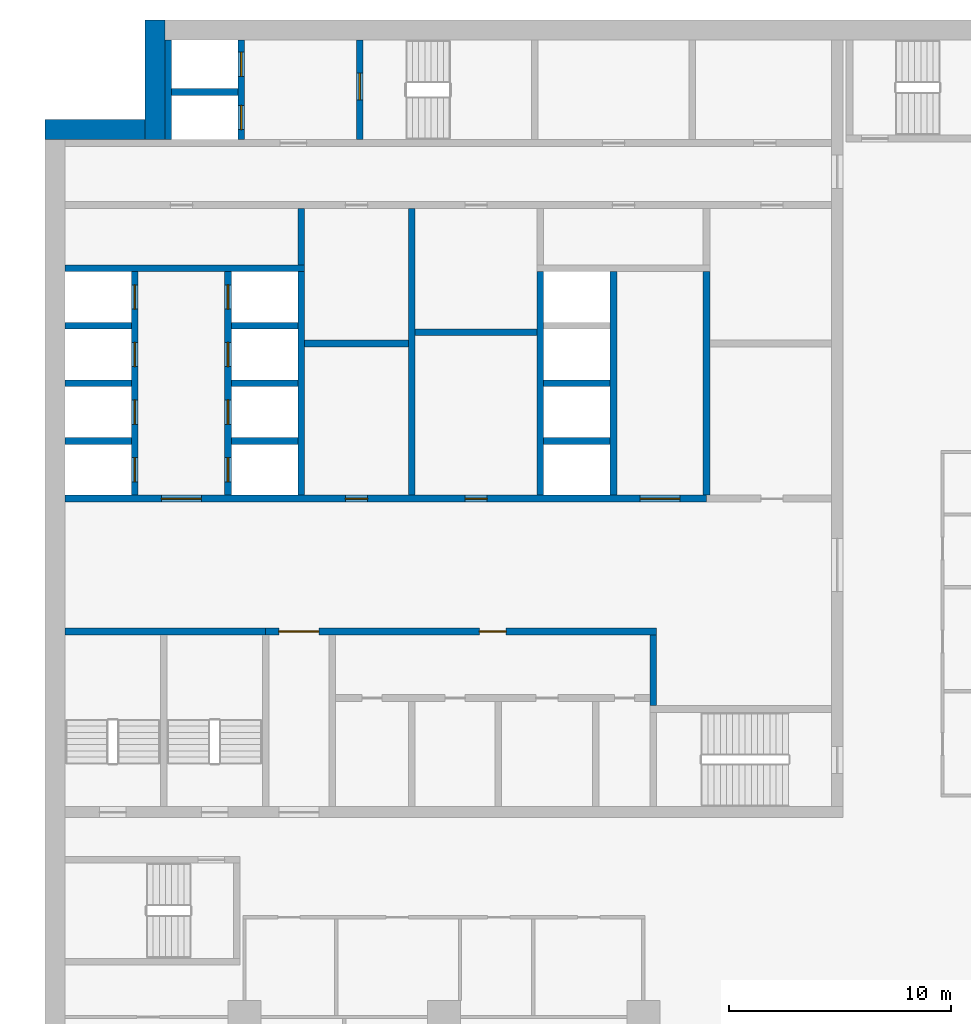
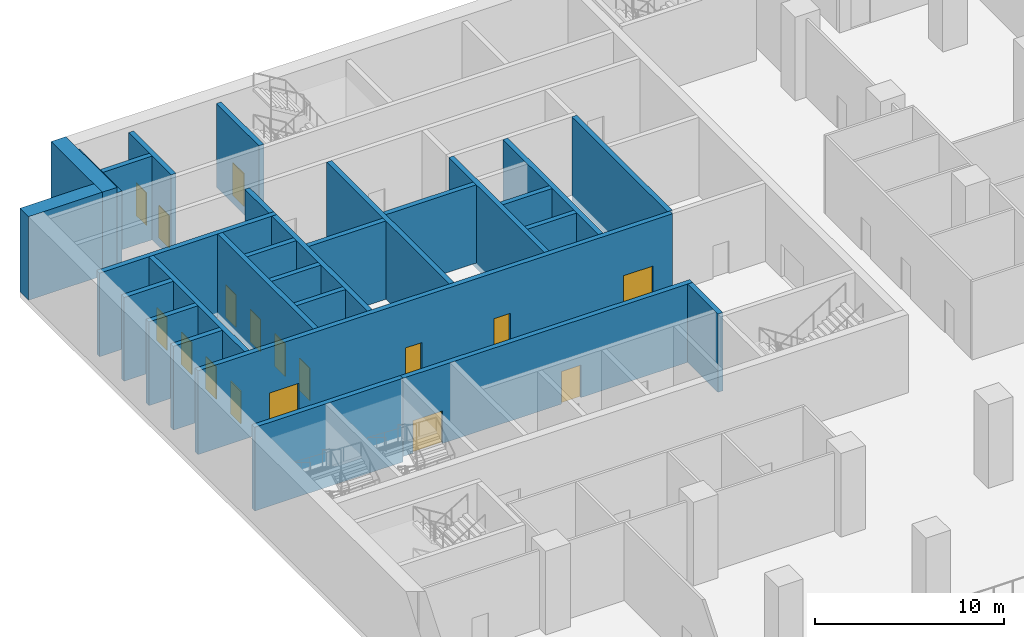
# One storey, part 18 of 44: 29 walls, 17 doors, 17 openings.
"""IFC4 building model written with IfcOpenShell, lengths in metres."""

from ifc_helpers import new_model, si_unit, direction, frame, frame_2d, origin, place, context, subcontext, project, spatial, rectangle, extrude, material, layer, layer_set, type_object, element, fill, save


model = new_model("IFC4")

# Units and contexts
model_context = context("Model", 3, precision=1e-05, world=origin(), true_north=direction((0.0, 1.0)))
body_context = subcontext(model_context, "Body", "Model", "MODEL_VIEW")
ifc_project = project(units=[si_unit("LENGTHUNIT", "METRE"), si_unit("AREAUNIT", "SQUARE_METRE"), si_unit("VOLUMEUNIT", "CUBIC_METRE"), si_unit("PLANEANGLEUNIT", "RADIAN"), si_unit("MASSUNIT", "GRAM", prefix="KILO")], contexts=[model_context])

# Site, building, storey
site_placement = place(None, origin())
site = spatial("IfcSite", under=ifc_project, at=site_placement, CompositionType="ELEMENT")
building_placement = place(site_placement, origin())
building = spatial("IfcBuilding", under=site, at=building_placement, Name="Hunhe Ridgeline Campus", CompositionType="ELEMENT")
storey_placement = place(building_placement, frame((0.0, 0.0, 6.0)))
storey = spatial("IfcBuildingStorey", under=building, at=storey_placement, Name="L01", CompositionType="ELEMENT", Elevation=6.0)

# Wall, openings, doors
ifc_material_1 = material(Name="Masonry concrete blockwork", Category="masonry")
ifc_layer_1 = layer(ifc_material_1, 0.300048828125)
ifc_layer_set_1 = layer_set([ifc_layer_1], Name="Core room partition 300 concrete block")
wall_type_1 = type_object("IfcWallType", Name="Core room partition 300 concrete block", PredefinedType="PARTITIONING", material=ifc_layer_set_1)
wall_1_placement = place(storey_placement, frame((9.949951171875, 71.39990234375, 0.0), z_axis=(0.0, 0.0, 1.0), x_axis=(1.0, 0.0, 0.0)))
wall_1 = element("IfcWall", 1, at=wall_1_placement, inside=storey, type_object=wall_type_1, Name="L01 core partition 13", PredefinedType="PARTITIONING", context=body_context, shape_type="SweptSolid", body=[
    extrude(rectangle(XDim=17.650146484375, YDim=0.300048828125, at=frame_2d((8.8251953125, 0.0))), origin(), (0.0, 0.0, 1.0), 5.050048828125),
])
opening_1_placement = place(wall_1_placement, frame((0.60009765625, 0.0, 0.0)))
opening_1 = element("IfcOpeningElement", 2, at=opening_1_placement, cuts=wall_1, Name="Opening CD7", PredefinedType="OPENING", context=body_context, shape_type="SweptSolid", body=[
    extrude(rectangle(XDim=1.800048828125, YDim=2.10009765625, at=frame_2d((0.89990234375, 1.050048828125))), frame((0.0, 0.14990234375, 0.0), z_axis=(0.0, -1.0, 0.0), x_axis=(1.0, 0.0, 0.0)), (0.0, 0.0, 1.0), 0.300048828125),
])
opening_2_placement = place(wall_1_placement, frame((9.64990234375, 0.0, 0.0)))
opening_2 = element("IfcOpeningElement", 3, at=opening_2_placement, cuts=wall_1, Name="Opening CD12", PredefinedType="OPENING", context=body_context, shape_type="SweptSolid", body=[
    extrude(rectangle(XDim=1.199951171875, YDim=2.10009765625, at=frame_2d((0.60009765625, 1.050048828125))), frame((0.0, 0.14990234375, 0.0), z_axis=(0.0, -1.0, 0.0), x_axis=(1.0, 0.0, 0.0)), (0.0, 0.0, 1.0), 0.300048828125),
])
ifc_material_2 = material(Name="Anodised aluminium and glass", Category="aluminium")
door_type_1 = type_object("IfcDoorType", Name="Glazed double door 1800x2100", OperationType="DOUBLE_DOOR_SINGLE_SWING", PredefinedType="DOOR", material=ifc_material_2)
door_1_placement = place(opening_1_placement, origin())
door_1 = element("IfcDoor", 4, at=door_1_placement, inside=storey, type_object=door_type_1, Name="L01 door VEST-HALL", OperationType="DOUBLE_DOOR_SINGLE_SWING", OverallHeight=2.10009765625, OverallWidth=1.800048828125, PredefinedType="DOOR", context=body_context, shape_type="SweptSolid", body=[
    extrude(rectangle(XDim=1.800048828125, YDim=2.10009765625, at=frame_2d((0.89990234375, 1.050048828125))), frame((0.0, 0.02490234375, 0.0), z_axis=(0.0, -1.0, 0.0), x_axis=(1.0, 0.0, 0.0)), (0.0, 0.0, 1.0), 0.050048828125),
])
fill(opening_1, door_1)
ifc_material_3 = material(Name="Solid core timber door leaf", Category="wood")
door_type_2 = type_object("IfcDoorType", Name="Timber door 1200x2100", OperationType="SINGLE_SWING_LEFT", PredefinedType="DOOR", material=ifc_material_3)
door_2_placement = place(opening_2_placement, origin())
door_2 = element("IfcDoor", 5, at=door_2_placement, inside=storey, type_object=door_type_2, Name="L01 door WCL2-HALL", OperationType="SINGLE_SWING_LEFT", OverallHeight=2.10009765625, OverallWidth=1.199951171875, PredefinedType="DOOR", context=body_context, shape_type="SweptSolid", body=[
    extrude(rectangle(XDim=1.199951171875, YDim=2.10009765625, at=frame_2d((0.60009765625, 1.050048828125))), frame((0.0, 0.02490234375, 0.0), z_axis=(0.0, -1.0, 0.0), x_axis=(1.0, 0.0, 0.0)), (0.0, 0.0, 1.0), 0.050048828125),
])
fill(opening_2, door_2)

# Walls
wall_2_placement = place(storey_placement, frame((11.699951171875, 84.39990234375, 0.0), z_axis=(0.0, 0.0, 1.0), x_axis=(1.0, 0.0, 0.0)))
element("IfcWall", 6, at=wall_2_placement, inside=storey, type_object=wall_type_1, Name="L01 core partition 22", PredefinedType="PARTITIONING", context=body_context, shape_type="SweptSolid", body=[
    extrude(rectangle(XDim=4.699951171875, YDim=0.300048828125, at=frame_2d((2.35009765625, 0.0))), origin(), (0.0, 0.0, 1.0), 5.050048828125),
])
wall_3_placement = place(storey_placement, frame((16.699951171875, 84.89990234375, 0.0), z_axis=(0.0, 0.0, 1.0), x_axis=(1.0, 0.0, 0.0)))
element("IfcWall", 7, at=wall_3_placement, inside=storey, type_object=wall_type_1, Name="L01 core partition 24", PredefinedType="PARTITIONING", context=body_context, shape_type="SweptSolid", body=[
    extrude(rectangle(XDim=5.5, YDim=0.300048828125, at=frame_2d((2.75, 0.0))), origin(), (0.0, 0.0, 1.0), 5.050048828125),
])
wall_4_placement = place(storey_placement, frame((11.550048828125, 87.949951171875, 0.0), z_axis=(0.0, 0.0, 1.0), x_axis=(0.0, 1.0, 0.0)))
element("IfcWall", 8, at=wall_4_placement, inside=storey, type_object=wall_type_1, Name="L01 core partition 46", PredefinedType="PARTITIONING", context=body_context, shape_type="SweptSolid", body=[
    extrude(rectangle(XDim=2.550048828125, YDim=0.300048828125, at=frame_2d((1.27490234375, 0.0))), origin(), (0.0, 0.0, 1.0), 5.050048828125),
])
wall_5_placement = place(storey_placement, frame((16.550048828125, 77.550048828125, 0.0), z_axis=(0.0, 0.0, 1.0), x_axis=(0.0, 1.0, 0.0)))
element("IfcWall", 9, at=wall_5_placement, inside=storey, type_object=wall_type_1, Name="L01 core partition 50", PredefinedType="PARTITIONING", context=body_context, shape_type="SweptSolid", body=[
    extrude(rectangle(XDim=12.949951171875, YDim=0.300048828125, at=frame_2d((6.47509765625, 0.0))), origin(), (0.0, 0.0, 1.0), 5.050048828125),
])
wall_6_placement = place(storey_placement, frame((27.449951171875, 68.050048828125, 0.0), z_axis=(0.0, 0.0, 1.0), x_axis=(0.0, 1.0, 0.0)))
element("IfcWall", 10, at=wall_6_placement, inside=storey, type_object=wall_type_1, Name="L01 core partition 60", PredefinedType="PARTITIONING", context=body_context, shape_type="SweptSolid", body=[
    extrude(rectangle(XDim=3.199951171875, YDim=0.300048828125, at=frame_2d((1.60009765625, 0.0))), origin(), (0.0, 0.0, 1.0), 5.050048828125),
])
ifc_material_4 = material(Name="Concrete C80", Category="concrete")
ifc_layer_2 = layer(ifc_material_4, 0.300048828125)
ifc_layer_set_2 = layer_set([ifc_layer_2], Name="Lobby wall 300 reinforced concrete C80")
wall_type_2 = type_object("IfcWallType", Name="Lobby wall 300 reinforced concrete C80", PredefinedType="SOLIDWALL", material=ifc_layer_set_2)
wall_7_placement = place(storey_placement, frame((29.85009765625, 77.550048828125, -0.35009765625), z_axis=(0.0, 0.0, 1.0), x_axis=(0.0, 1.0, 0.0)))
element("IfcWall", 11, at=wall_7_placement, inside=storey, type_object=wall_type_2, Name="L01 core wall 62", PredefinedType="SOLIDWALL", context=body_context, shape_type="SweptSolid", body=[
    extrude(rectangle(XDim=10.099853515625, YDim=0.300048828125, at=frame_2d((5.0498046875, 0.0))), origin(), (0.0, 0.0, 1.0), 5.400146484375),
])

# Wall, openings, doors
ifc_layer_3 = layer(ifc_material_4, 0.300048828125)
ifc_layer_set_3 = layer_set([ifc_layer_3], Name="Shaft wall 300 reinforced concrete C80")
wall_type_3 = type_object("IfcWallType", Name="Shaft wall 300 reinforced concrete C80", PredefinedType="SOLIDWALL", material=ifc_layer_set_3)
wall_8_placement = place(storey_placement, frame((0.89990234375, 77.39990234375, -0.35009765625), z_axis=(0.0, 0.0, 1.0), x_axis=(1.0, 0.0, 0.0)))
wall_8 = element("IfcWall", 12, at=wall_8_placement, inside=storey, type_object=wall_type_3, Name="L01 core wall 14", PredefinedType="SOLIDWALL", context=body_context, shape_type="SweptSolid", body=[
    extrude(rectangle(XDim=28.9501953125, YDim=0.300048828125, at=frame_2d((14.47509765625, 0.0))), origin(), (0.0, 0.0, 1.0), 5.400146484375),
])
opening_3_placement = place(wall_8_placement, frame((4.35009765625, 0.0, 0.35009765625)))
opening_3 = element("IfcOpeningElement", 13, at=opening_3_placement, cuts=wall_8, Name="Opening CD1", PredefinedType="OPENING", context=body_context, shape_type="SweptSolid", body=[
    extrude(rectangle(XDim=1.800048828125, YDim=2.10009765625, at=frame_2d((0.89990234375, 1.050048828125))), frame((0.0, 0.14990234375, 0.0), z_axis=(0.0, -1.0, 0.0), x_axis=(1.0, 0.0, 0.0)), (0.0, 0.0, 1.0), 0.300048828125),
])
opening_4_placement = place(wall_8_placement, frame((25.949951171875, 0.0, 0.35009765625)))
opening_4 = element("IfcOpeningElement", 14, at=opening_4_placement, cuts=wall_8, Name="Opening CD2", PredefinedType="OPENING", context=body_context, shape_type="SweptSolid", body=[
    extrude(rectangle(XDim=1.800048828125, YDim=2.10009765625, at=frame_2d((0.89990234375, 1.050048828125))), frame((0.0, 0.14990234375, 0.0), z_axis=(0.0, -1.0, 0.0), x_axis=(1.0, 0.0, 0.0)), (0.0, 0.0, 1.0), 0.300048828125),
])
opening_5_placement = place(wall_8_placement, frame((12.64990234375, 0.0, 0.35009765625)))
opening_5 = element("IfcOpeningElement", 15, at=opening_5_placement, cuts=wall_8, Name="Opening CD28", PredefinedType="OPENING", context=body_context, shape_type="SweptSolid", body=[
    extrude(rectangle(XDim=1.0, YDim=2.10009765625, at=frame_2d((0.5, 1.050048828125))), frame((0.0, 0.14990234375, 0.0), z_axis=(0.0, -1.0, 0.0), x_axis=(1.0, 0.0, 0.0)), (0.0, 0.0, 1.0), 0.300048828125),
])
opening_6_placement = place(wall_8_placement, frame((18.050048828125, 0.0, 0.35009765625)))
opening_6 = element("IfcOpeningElement", 16, at=opening_6_placement, cuts=wall_8, Name="Opening CD30", PredefinedType="OPENING", context=body_context, shape_type="SweptSolid", body=[
    extrude(rectangle(XDim=1.0, YDim=2.10009765625, at=frame_2d((0.5, 1.050048828125))), frame((0.0, 0.14990234375, 0.0), z_axis=(0.0, -1.0, 0.0), x_axis=(1.0, 0.0, 0.0)), (0.0, 0.0, 1.0), 0.300048828125),
])
ifc_material_5 = material(Name="Hollow metal fire door leaf")
door_type_3 = type_object("IfcDoorType", Name="Lobby door 1800x2100 FD60", OperationType="SINGLE_SWING_LEFT", PredefinedType="DOOR", material=ifc_material_5)
door_3_placement = place(opening_3_placement, frame((1.800048828125, 0.0, 0.0), z_axis=(0.0, 0.0, 1.0), x_axis=(-1.0, 0.0, 0.0)))
door_3 = element("IfcDoor", 17, at=door_3_placement, inside=storey, type_object=door_type_3, Name="L01 door LOB-LR", OperationType="SINGLE_SWING_RIGHT", OverallHeight=2.10009765625, OverallWidth=1.800048828125, PredefinedType="DOOR", context=body_context, shape_type="SweptSolid", body=[
    extrude(rectangle(XDim=1.800048828125, YDim=2.10009765625, at=frame_2d((0.89990234375, 1.050048828125))), frame((0.0, 0.02490234375, 0.0), z_axis=(0.0, -1.0, 0.0), x_axis=(1.0, 0.0, 0.0)), (0.0, 0.0, 1.0), 0.050048828125),
])
fill(opening_3, door_3)
door_4_placement = place(opening_4_placement, frame((1.800048828125, 0.0, 0.0), z_axis=(0.0, 0.0, 1.0), x_axis=(-1.0, 0.0, 0.0)))
door_4 = element("IfcDoor", 18, at=door_4_placement, inside=storey, type_object=door_type_3, Name="L01 door LOB-SH", OperationType="SINGLE_SWING_LEFT", OverallHeight=2.10009765625, OverallWidth=1.800048828125, PredefinedType="DOOR", context=body_context, shape_type="SweptSolid", body=[
    extrude(rectangle(XDim=1.800048828125, YDim=2.10009765625, at=frame_2d((0.89990234375, 1.050048828125))), frame((0.0, 0.02490234375, 0.0), z_axis=(0.0, -1.0, 0.0), x_axis=(1.0, 0.0, 0.0)), (0.0, 0.0, 1.0), 0.050048828125),
])
fill(opening_4, door_4)
door_type_4 = type_object("IfcDoorType", Name="Timber door 1000x2100", OperationType="SINGLE_SWING_LEFT", PredefinedType="DOOR", material=ifc_material_3)
door_5_placement = place(opening_5_placement, origin())
door_5 = element("IfcDoor", 19, at=door_5_placement, inside=storey, type_object=door_type_4, Name="L01 door VD-HR0", OperationType="SINGLE_SWING_LEFT", OverallHeight=2.10009765625, OverallWidth=1.0, PredefinedType="DOOR", context=body_context, shape_type="SweptSolid", body=[
    extrude(rectangle(XDim=1.0, YDim=2.10009765625, at=frame_2d((0.5, 1.050048828125))), frame((0.0, 0.02490234375, 0.0), z_axis=(0.0, -1.0, 0.0), x_axis=(1.0, 0.0, 0.0)), (0.0, 0.0, 1.0), 0.050048828125),
])
fill(opening_5, door_5)
door_6_placement = place(opening_6_placement, origin())
door_6 = element("IfcDoor", 20, at=door_6_placement, inside=storey, type_object=door_type_4, Name="L01 door VD-HR2", OperationType="SINGLE_SWING_LEFT", OverallHeight=2.10009765625, OverallWidth=1.0, PredefinedType="DOOR", context=body_context, shape_type="SweptSolid", body=[
    extrude(rectangle(XDim=1.0, YDim=2.10009765625, at=frame_2d((0.5, 1.050048828125))), frame((0.0, 0.02490234375, 0.0), z_axis=(0.0, -1.0, 0.0), x_axis=(1.0, 0.0, 0.0)), (0.0, 0.0, 1.0), 0.050048828125),
])
fill(opening_6, door_6)

# Walls
for number, where, z_axis, x_axis, name in (
    (21, (0.89990234375, 80.0, -0.35009765625), (0.0, 0.0, 1.0), (1.0, 0.0, 0.0), "L01 core wall 16"),
    (22, (8.39990234375, 80.0, -0.35009765625), (0.0, 0.0, 1.0), (1.0, 0.0, 0.0), "L01 core wall 17"),
    (23, (22.5, 80.0, -0.35009765625), (0.0, 0.0, 1.0), (1.0, 0.0, 0.0), "L01 core wall 18"),
    (24, (0.89990234375, 82.60009765625, -0.35009765625), (0.0, 0.0, 1.0), (1.0, 0.0, 0.0), "L01 core wall 19"),
    (25, (8.39990234375, 82.60009765625, -0.35009765625), (0.0, 0.0, 1.0), (1.0, 0.0, 0.0), "L01 core wall 20"),
    (26, (22.5, 82.60009765625, -0.35009765625), (0.0, 0.0, 1.0), (1.0, 0.0, 0.0), "L01 core wall 21"),
    (27, (0.89990234375, 85.199951171875, -0.35009765625), (0.0, 0.0, 1.0), (1.0, 0.0, 0.0), "L01 core wall 25"),
    (28, (8.39990234375, 85.199951171875, -0.35009765625), (0.0, 0.0, 1.0), (1.0, 0.0, 0.0), "L01 core wall 26"),
):
    element("IfcWall", number, at=place(storey_placement, frame(where, z_axis=z_axis, x_axis=x_axis)), inside=storey, type_object=wall_type_3, Name=name, PredefinedType="SOLIDWALL", context=body_context, shape_type="SweptSolid", body=[
        extrude(rectangle(XDim=3.0, YDim=0.300048828125, at=frame_2d((1.5, 0.0))), origin(), (0.0, 0.0, 1.0), 5.400146484375),
    ])
wall_9_placement = place(storey_placement, frame((0.89990234375, 87.800048828125, -0.35009765625), z_axis=(0.0, 0.0, 1.0), x_axis=(1.0, 0.0, 0.0)))
element("IfcWall", 29, at=wall_9_placement, inside=storey, type_object=wall_type_3, Name="L01 core wall 28", PredefinedType="SOLIDWALL", context=body_context, shape_type="SweptSolid", body=[
    extrude(rectangle(XDim=10.800048828125, YDim=0.300048828125, at=frame_2d((5.39990234375, 0.0))), origin(), (0.0, 0.0, 1.0), 5.400146484375),
])
wall_10_placement = place(storey_placement, frame((5.699951171875, 95.75, -0.35009765625), z_axis=(0.0, 0.0, 1.0), x_axis=(1.0, 0.0, 0.0)))
element("IfcWall", 30, at=wall_10_placement, inside=storey, type_object=wall_type_3, Name="L01 core wall 36", PredefinedType="SOLIDWALL", context=body_context, shape_type="SweptSolid", body=[
    extrude(rectangle(XDim=3.0, YDim=0.300048828125, at=frame_2d((1.5, 0.0))), origin(), (0.0, 0.0, 1.0), 5.400146484375),
])

# Wall, openings, doors
wall_11_placement = place(storey_placement, frame((4.050048828125, 77.550048828125, -0.35009765625), z_axis=(0.0, 0.0, 1.0), x_axis=(0.0, 1.0, 0.0)))
wall_11 = element("IfcWall", 31, at=wall_11_placement, inside=storey, type_object=wall_type_3, Name="L01 core wall 37", PredefinedType="SOLIDWALL", context=body_context, shape_type="SweptSolid", body=[
    extrude(rectangle(XDim=10.099853515625, YDim=0.300048828125, at=frame_2d((5.0498046875, 0.0))), origin(), (0.0, 0.0, 1.0), 5.400146484375),
])
opening_7_placement = place(wall_11_placement, frame((0.60009765625, 0.0, 0.35009765625)))
opening_7 = element("IfcOpeningElement", 32, at=opening_7_placement, cuts=wall_11, Name="Opening LD-LR1", PredefinedType="OPENING", context=body_context, shape_type="SweptSolid", body=[
    extrude(rectangle(XDim=1.10009765625, YDim=2.10009765625, at=frame_2d((0.550048828125, 1.050048828125))), frame((0.0, 0.14990234375, 0.0), z_axis=(0.0, -1.0, 0.0), x_axis=(1.0, 0.0, 0.0)), (0.0, 0.0, 1.0), 0.300048828125),
])
opening_8_placement = place(wall_11_placement, frame((3.199951171875, 0.0, 0.35009765625)))
opening_8 = element("IfcOpeningElement", 33, at=opening_8_placement, cuts=wall_11, Name="Opening LD-LR2", PredefinedType="OPENING", context=body_context, shape_type="SweptSolid", body=[
    extrude(rectangle(XDim=1.10009765625, YDim=2.10009765625, at=frame_2d((0.550048828125, 1.050048828125))), frame((0.0, 0.14990234375, 0.0), z_axis=(0.0, -1.0, 0.0), x_axis=(1.0, 0.0, 0.0)), (0.0, 0.0, 1.0), 0.300048828125),
])
opening_9_placement = place(wall_11_placement, frame((5.800048828125, 0.0, 0.35009765625)))
opening_9 = element("IfcOpeningElement", 34, at=opening_9_placement, cuts=wall_11, Name="Opening LD-LR3", PredefinedType="OPENING", context=body_context, shape_type="SweptSolid", body=[
    extrude(rectangle(XDim=1.10009765625, YDim=2.10009765625, at=frame_2d((0.550048828125, 1.050048828125))), frame((0.0, 0.14990234375, 0.0), z_axis=(0.0, -1.0, 0.0), x_axis=(1.0, 0.0, 0.0)), (0.0, 0.0, 1.0), 0.300048828125),
])
opening_10_placement = place(wall_11_placement, frame((8.39990234375, 0.0, 0.35009765625)))
opening_10 = element("IfcOpeningElement", 35, at=opening_10_placement, cuts=wall_11, Name="Opening LD-LR4", PredefinedType="OPENING", context=body_context, shape_type="SweptSolid", body=[
    extrude(rectangle(XDim=1.10009765625, YDim=2.10009765625, at=frame_2d((0.550048828125, 1.050048828125))), frame((0.0, 0.14990234375, 0.0), z_axis=(0.0, -1.0, 0.0), x_axis=(1.0, 0.0, 0.0)), (0.0, 0.0, 1.0), 0.300048828125),
])
ifc_material_6 = material(Name="Stainless steel sliding leaves", Category="steel")
door_type_5 = type_object("IfcDoorType", Name="Landing door 1100x2100 FD120", OperationType="SLIDING_TO_LEFT", PredefinedType="DOOR", material=ifc_material_6)
door_7_placement = place(opening_7_placement, origin())
door_7 = element("IfcDoor", 36, at=door_7_placement, inside=storey, type_object=door_type_5, Name="L01 landing door LR1", OperationType="SLIDING_TO_RIGHT", OverallHeight=2.10009765625, OverallWidth=1.10009765625, PredefinedType="DOOR", context=body_context, shape_type="SweptSolid", body=[
    extrude(rectangle(XDim=1.10009765625, YDim=2.10009765625, at=frame_2d((0.550048828125, 1.050048828125))), frame((0.0, 0.02490234375, 0.0), z_axis=(0.0, -1.0, 0.0), x_axis=(1.0, 0.0, 0.0)), (0.0, 0.0, 1.0), 0.050048828125),
])
fill(opening_7, door_7)
door_8_placement = place(opening_8_placement, origin())
door_8 = element("IfcDoor", 37, at=door_8_placement, inside=storey, type_object=door_type_5, Name="L01 landing door LR2", OperationType="SLIDING_TO_LEFT", OverallHeight=2.10009765625, OverallWidth=1.10009765625, PredefinedType="DOOR", context=body_context, shape_type="SweptSolid", body=[
    extrude(rectangle(XDim=1.10009765625, YDim=2.10009765625, at=frame_2d((0.550048828125, 1.050048828125))), frame((0.0, 0.02490234375, 0.0), z_axis=(0.0, -1.0, 0.0), x_axis=(1.0, 0.0, 0.0)), (0.0, 0.0, 1.0), 0.050048828125),
])
fill(opening_8, door_8)
door_9_placement = place(opening_9_placement, origin())
door_9 = element("IfcDoor", 38, at=door_9_placement, inside=storey, type_object=door_type_5, Name="L01 landing door LR3", OperationType="SLIDING_TO_RIGHT", OverallHeight=2.10009765625, OverallWidth=1.10009765625, PredefinedType="DOOR", context=body_context, shape_type="SweptSolid", body=[
    extrude(rectangle(XDim=1.10009765625, YDim=2.10009765625, at=frame_2d((0.550048828125, 1.050048828125))), frame((0.0, 0.02490234375, 0.0), z_axis=(0.0, -1.0, 0.0), x_axis=(1.0, 0.0, 0.0)), (0.0, 0.0, 1.0), 0.050048828125),
])
fill(opening_9, door_9)
door_10_placement = place(opening_10_placement, origin())
door_10 = element("IfcDoor", 39, at=door_10_placement, inside=storey, type_object=door_type_5, Name="L01 landing door LR4", OperationType="SLIDING_TO_LEFT", OverallHeight=2.10009765625, OverallWidth=1.10009765625, PredefinedType="DOOR", context=body_context, shape_type="SweptSolid", body=[
    extrude(rectangle(XDim=1.10009765625, YDim=2.10009765625, at=frame_2d((0.550048828125, 1.050048828125))), frame((0.0, 0.02490234375, 0.0), z_axis=(0.0, -1.0, 0.0), x_axis=(1.0, 0.0, 0.0)), (0.0, 0.0, 1.0), 0.050048828125),
])
fill(opening_10, door_10)

# Wall
wall_12_placement = place(storey_placement, frame((5.550048828125, 93.60009765625, -0.35009765625), z_axis=(0.0, 0.0, 1.0), x_axis=(0.0, 1.0, 0.0)))
element("IfcWall", 40, at=wall_12_placement, inside=storey, type_object=wall_type_3, Name="L01 core wall 39", PredefinedType="SOLIDWALL", context=body_context, shape_type="SweptSolid", body=[
    extrude(rectangle(XDim=4.5, YDim=0.300048828125, at=frame_2d((2.25, 0.0))), origin(), (0.0, 0.0, 1.0), 5.400146484375),
])

# Wall, openings, doors
wall_13_placement = place(storey_placement, frame((8.25, 77.550048828125, -0.35009765625), z_axis=(0.0, 0.0, 1.0), x_axis=(0.0, 1.0, 0.0)))
wall_13 = element("IfcWall", 41, at=wall_13_placement, inside=storey, type_object=wall_type_3, Name="L01 core wall 40", PredefinedType="SOLIDWALL", context=body_context, shape_type="SweptSolid", body=[
    extrude(rectangle(XDim=10.099853515625, YDim=0.300048828125, at=frame_2d((5.0498046875, 0.0))), origin(), (0.0, 0.0, 1.0), 5.400146484375),
])
opening_11_placement = place(wall_13_placement, frame((0.60009765625, 0.0, 0.35009765625)))
opening_11 = element("IfcOpeningElement", 42, at=opening_11_placement, cuts=wall_13, Name="Opening LD-LR5", PredefinedType="OPENING", context=body_context, shape_type="SweptSolid", body=[
    extrude(rectangle(XDim=1.10009765625, YDim=2.10009765625, at=frame_2d((0.550048828125, 1.050048828125))), frame((0.0, 0.14990234375, 0.0), z_axis=(0.0, -1.0, 0.0), x_axis=(1.0, 0.0, 0.0)), (0.0, 0.0, 1.0), 0.300048828125),
])
opening_12_placement = place(wall_13_placement, frame((3.199951171875, 0.0, 0.35009765625)))
opening_12 = element("IfcOpeningElement", 43, at=opening_12_placement, cuts=wall_13, Name="Opening LD-LR6", PredefinedType="OPENING", context=body_context, shape_type="SweptSolid", body=[
    extrude(rectangle(XDim=1.10009765625, YDim=2.10009765625, at=frame_2d((0.550048828125, 1.050048828125))), frame((0.0, 0.14990234375, 0.0), z_axis=(0.0, -1.0, 0.0), x_axis=(1.0, 0.0, 0.0)), (0.0, 0.0, 1.0), 0.300048828125),
])
opening_13_placement = place(wall_13_placement, frame((5.800048828125, 0.0, 0.35009765625)))
opening_13 = element("IfcOpeningElement", 44, at=opening_13_placement, cuts=wall_13, Name="Opening LD-LR7", PredefinedType="OPENING", context=body_context, shape_type="SweptSolid", body=[
    extrude(rectangle(XDim=1.10009765625, YDim=2.10009765625, at=frame_2d((0.550048828125, 1.050048828125))), frame((0.0, 0.14990234375, 0.0), z_axis=(0.0, -1.0, 0.0), x_axis=(1.0, 0.0, 0.0)), (0.0, 0.0, 1.0), 0.300048828125),
])
opening_14_placement = place(wall_13_placement, frame((8.39990234375, 0.0, 0.35009765625)))
opening_14 = element("IfcOpeningElement", 45, at=opening_14_placement, cuts=wall_13, Name="Opening LD-LR8", PredefinedType="OPENING", context=body_context, shape_type="SweptSolid", body=[
    extrude(rectangle(XDim=1.10009765625, YDim=2.10009765625, at=frame_2d((0.550048828125, 1.050048828125))), frame((0.0, 0.14990234375, 0.0), z_axis=(0.0, -1.0, 0.0), x_axis=(1.0, 0.0, 0.0)), (0.0, 0.0, 1.0), 0.300048828125),
])
door_11_placement = place(opening_11_placement, origin())
door_11 = element("IfcDoor", 46, at=door_11_placement, inside=storey, type_object=door_type_5, Name="L01 landing door LR5", OperationType="SLIDING_TO_RIGHT", OverallHeight=2.10009765625, OverallWidth=1.10009765625, PredefinedType="DOOR", context=body_context, shape_type="SweptSolid", body=[
    extrude(rectangle(XDim=1.10009765625, YDim=2.10009765625, at=frame_2d((0.550048828125, 1.050048828125))), frame((0.0, 0.02490234375, 0.0), z_axis=(0.0, -1.0, 0.0), x_axis=(1.0, 0.0, 0.0)), (0.0, 0.0, 1.0), 0.050048828125),
])
fill(opening_11, door_11)
door_12_placement = place(opening_12_placement, origin())
door_12 = element("IfcDoor", 47, at=door_12_placement, inside=storey, type_object=door_type_5, Name="L01 landing door LR6", OperationType="SLIDING_TO_LEFT", OverallHeight=2.10009765625, OverallWidth=1.10009765625, PredefinedType="DOOR", context=body_context, shape_type="SweptSolid", body=[
    extrude(rectangle(XDim=1.10009765625, YDim=2.10009765625, at=frame_2d((0.550048828125, 1.050048828125))), frame((0.0, 0.02490234375, 0.0), z_axis=(0.0, -1.0, 0.0), x_axis=(1.0, 0.0, 0.0)), (0.0, 0.0, 1.0), 0.050048828125),
])
fill(opening_12, door_12)
door_13_placement = place(opening_13_placement, origin())
door_13 = element("IfcDoor", 48, at=door_13_placement, inside=storey, type_object=door_type_5, Name="L01 landing door LR7", OperationType="SLIDING_TO_RIGHT", OverallHeight=2.10009765625, OverallWidth=1.10009765625, PredefinedType="DOOR", context=body_context, shape_type="SweptSolid", body=[
    extrude(rectangle(XDim=1.10009765625, YDim=2.10009765625, at=frame_2d((0.550048828125, 1.050048828125))), frame((0.0, 0.02490234375, 0.0), z_axis=(0.0, -1.0, 0.0), x_axis=(1.0, 0.0, 0.0)), (0.0, 0.0, 1.0), 0.050048828125),
])
fill(opening_13, door_13)
door_14_placement = place(opening_14_placement, origin())
door_14 = element("IfcDoor", 49, at=door_14_placement, inside=storey, type_object=door_type_5, Name="L01 landing door LR8", OperationType="SLIDING_TO_LEFT", OverallHeight=2.10009765625, OverallWidth=1.10009765625, PredefinedType="DOOR", context=body_context, shape_type="SweptSolid", body=[
    extrude(rectangle(XDim=1.10009765625, YDim=2.10009765625, at=frame_2d((0.550048828125, 1.050048828125))), frame((0.0, 0.02490234375, 0.0), z_axis=(0.0, -1.0, 0.0), x_axis=(1.0, 0.0, 0.0)), (0.0, 0.0, 1.0), 0.050048828125),
])
fill(opening_14, door_14)

wall_14_placement = place(storey_placement, frame((8.85009765625, 93.60009765625, -0.35009765625), z_axis=(0.0, 0.0, 1.0), x_axis=(0.0, 1.0, 0.0)))
wall_14 = element("IfcWall", 50, at=wall_14_placement, inside=storey, type_object=wall_type_3, Name="L01 core wall 43", PredefinedType="SOLIDWALL", context=body_context, shape_type="SweptSolid", body=[
    extrude(rectangle(XDim=4.5, YDim=0.300048828125, at=frame_2d((2.25, 0.0))), origin(), (0.0, 0.0, 1.0), 5.400146484375),
])
opening_15_placement = place(wall_14_placement, frame((0.449951171875, 0.0, 0.35009765625)))
opening_15 = element("IfcOpeningElement", 51, at=opening_15_placement, cuts=wall_14, Name="Opening LD-FF1", PredefinedType="OPENING", context=body_context, shape_type="SweptSolid", body=[
    extrude(rectangle(XDim=1.10009765625, YDim=2.10009765625, at=frame_2d((0.550048828125, 1.050048828125))), frame((0.0, 0.14990234375, 0.0), z_axis=(0.0, -1.0, 0.0), x_axis=(1.0, 0.0, 0.0)), (0.0, 0.0, 1.0), 0.300048828125),
])
opening_16_placement = place(wall_14_placement, frame((2.85009765625, 0.0, 0.35009765625)))
opening_16 = element("IfcOpeningElement", 52, at=opening_16_placement, cuts=wall_14, Name="Opening LD-FF2", PredefinedType="OPENING", context=body_context, shape_type="SweptSolid", body=[
    extrude(rectangle(XDim=1.10009765625, YDim=2.10009765625, at=frame_2d((0.550048828125, 1.050048828125))), frame((0.0, 0.14990234375, 0.0), z_axis=(0.0, -1.0, 0.0), x_axis=(1.0, 0.0, 0.0)), (0.0, 0.0, 1.0), 0.300048828125),
])
door_15_placement = place(opening_15_placement, origin())
door_15 = element("IfcDoor", 53, at=door_15_placement, inside=storey, type_object=door_type_5, Name="L01 landing door FF1", OperationType="SLIDING_TO_RIGHT", OverallHeight=2.10009765625, OverallWidth=1.10009765625, PredefinedType="DOOR", context=body_context, shape_type="SweptSolid", body=[
    extrude(rectangle(XDim=1.10009765625, YDim=2.10009765625, at=frame_2d((0.550048828125, 1.050048828125))), frame((0.0, 0.02490234375, 0.0), z_axis=(0.0, -1.0, 0.0), x_axis=(1.0, 0.0, 0.0)), (0.0, 0.0, 1.0), 0.050048828125),
])
fill(opening_15, door_15)
door_16_placement = place(opening_16_placement, origin())
door_16 = element("IfcDoor", 54, at=door_16_placement, inside=storey, type_object=door_type_5, Name="L01 landing door FF2", OperationType="SLIDING_TO_LEFT", OverallHeight=2.10009765625, OverallWidth=1.10009765625, PredefinedType="DOOR", context=body_context, shape_type="SweptSolid", body=[
    extrude(rectangle(XDim=1.10009765625, YDim=2.10009765625, at=frame_2d((0.550048828125, 1.050048828125))), frame((0.0, 0.02490234375, 0.0), z_axis=(0.0, -1.0, 0.0), x_axis=(1.0, 0.0, 0.0)), (0.0, 0.0, 1.0), 0.050048828125),
])
fill(opening_16, door_16)

# Walls
for number, where, z_axis, x_axis, name in (
    (55, (11.550048828125, 77.550048828125, -0.35009765625), (0.0, 0.0, 1.0), (0.0, 1.0, 0.0), "L01 core wall 45"),
    (56, (22.35009765625, 77.550048828125, -0.35009765625), (0.0, 0.0, 1.0), (0.0, 1.0, 0.0), "L01 core wall 54"),
    (57, (25.64990234375, 77.550048828125, -0.35009765625), (0.0, 0.0, 1.0), (0.0, 1.0, 0.0), "L01 core wall 58"),
):
    element("IfcWall", number, at=place(storey_placement, frame(where, z_axis=z_axis, x_axis=x_axis)), inside=storey, type_object=wall_type_3, Name=name, PredefinedType="SOLIDWALL", context=body_context, shape_type="SweptSolid", body=[
        extrude(rectangle(XDim=10.099853515625, YDim=0.300048828125, at=frame_2d((5.0498046875, 0.0))), origin(), (0.0, 0.0, 1.0), 5.400146484375),
    ])
ifc_layer_4 = layer(ifc_material_4, 0.89990234375)
ifc_layer_set_4 = layer_set([ifc_layer_4], Name="Spine wall 900 Concrete C80")
wall_type_4 = type_object("IfcWallType", Name="Spine wall 900 Concrete C80", PredefinedType="SHEAR", material=ifc_layer_set_4)
for number, where, z_axis, x_axis, name in (
    (58, (4.949951171875, 99.0, 0.0), (0.0, 0.0, 1.0), (0.0, -1.0, 0.0), "Spine wall SW1-5 L01"),
    (59, (5.400146484375, 94.050048828125, 0.0), (0.0, 0.0, 1.0), (-1.0, 0.0, 0.0), "Spine wall SW1-6 L01"),
):
    element("IfcWall", number, at=place(storey_placement, frame(where, z_axis=z_axis, x_axis=x_axis)), inside=storey, type_object=wall_type_4, Name=name, PredefinedType="SHEAR", context=body_context, shape_type="SweptSolid", body=[
        extrude(rectangle(XDim=5.400146484375, YDim=0.89990234375, at=frame_2d((2.7001953125, 0.0))), origin(), (0.0, 0.0, 1.0), 5.39990234375),
    ])
ifc_layer_5 = layer(ifc_material_4, 0.300048828125)
ifc_layer_set_5 = layer_set([ifc_layer_5], Name="Stair wall 300 reinforced concrete C80")
wall_type_5 = type_object("IfcWallType", Name="Stair wall 300 reinforced concrete C80", PredefinedType="SOLIDWALL", material=ifc_layer_set_5)
wall_15_placement = place(storey_placement, frame((0.89990234375, 71.39990234375, -0.35009765625), z_axis=(0.0, 0.0, 1.0), x_axis=(1.0, 0.0, 0.0)))
element("IfcWall", 60, at=wall_15_placement, inside=storey, type_object=wall_type_5, Name="L01 core wall 12", PredefinedType="SOLIDWALL", context=body_context, shape_type="SweptSolid", body=[
    extrude(rectangle(XDim=9.050048828125, YDim=0.300048828125, at=frame_2d((4.52490234375, 0.0))), origin(), (0.0, 0.0, 1.0), 5.400146484375),
])

# Wall, opening, door
wall_16_placement = place(storey_placement, frame((14.199951171875, 93.60009765625, -0.35009765625), z_axis=(0.0, 0.0, 1.0), x_axis=(0.0, 1.0, 0.0)))
wall_16 = element("IfcWall", 61, at=wall_16_placement, inside=storey, type_object=wall_type_5, Name="L01 core wall 48", PredefinedType="SOLIDWALL", context=body_context, shape_type="SweptSolid", body=[
    extrude(rectangle(XDim=4.5, YDim=0.300048828125, at=frame_2d((2.25, 0.0))), origin(), (0.0, 0.0, 1.0), 5.400146484375),
])
opening_17_placement = place(wall_16_placement, frame((1.800048828125, 0.0, 0.35009765625)))
opening_17 = element("IfcOpeningElement", 62, at=opening_17_placement, cuts=wall_16, Name="Opening CD16", PredefinedType="OPENING", context=body_context, shape_type="SweptSolid", body=[
    extrude(rectangle(XDim=1.199951171875, YDim=2.10009765625, at=frame_2d((0.60009765625, 1.050048828125))), frame((0.0, 0.14990234375, 0.0), z_axis=(0.0, -1.0, 0.0), x_axis=(1.0, 0.0, 0.0)), (0.0, 0.0, 1.0), 0.300048828125),
])
door_type_6 = type_object("IfcDoorType", Name="Stair door 1200x2100 FD60", OperationType="SINGLE_SWING_LEFT", PredefinedType="DOOR", material=ifc_material_5)
door_17_placement = place(opening_17_placement, origin())
door_17 = element("IfcDoor", 63, at=door_17_placement, inside=storey, type_object=door_type_6, Name="L01 door S1-FF", OperationType="SINGLE_SWING_LEFT", OverallHeight=2.10009765625, OverallWidth=1.199951171875, PredefinedType="DOOR", context=body_context, shape_type="SweptSolid", body=[
    extrude(rectangle(XDim=1.199951171875, YDim=2.10009765625, at=frame_2d((0.60009765625, 1.050048828125))), frame((0.0, 0.02490234375, 0.0), z_axis=(0.0, -1.0, 0.0), x_axis=(1.0, 0.0, 0.0)), (0.0, 0.0, 1.0), 0.050048828125),
])
fill(opening_17, door_17)

save(model, "model.ifc")
